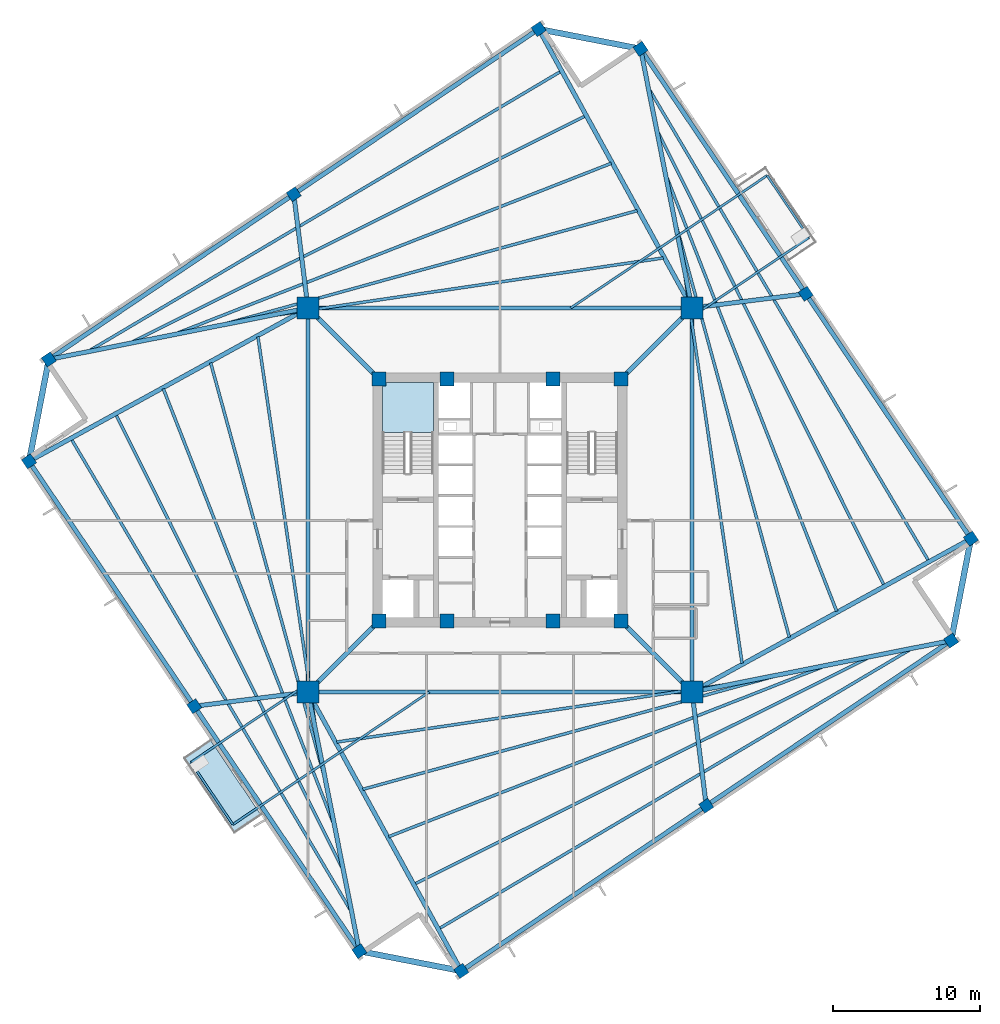
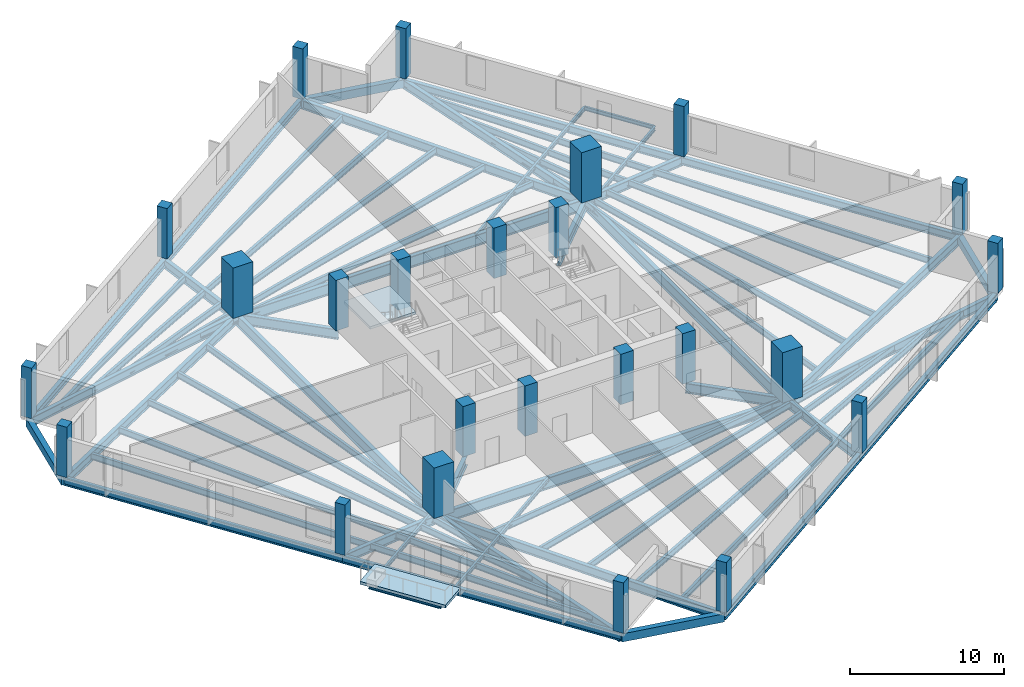
# One storey, part 1 of 9: 58 beams, 24 columns, 2 slabs, 1 element without a shape of its own.
"""IFC4 building model written with IfcOpenShell, lengths in metres."""

from ifc_helpers import new_model, si_unit, direction, frame, origin, origin_2d, place, context, subcontext, project, spatial, polyline, rectangle, i_section, outline, extrude, source, transform, mapped, material, layer, layer_set, material_profile, profile_set, type_object, element, aggregate, save


model = new_model("IFC4")

# Units and contexts
model_context = context("Model", 3, precision=1e-05, world=origin(), true_north=direction((0.0, 1.0)))
body_context = subcontext(model_context, "Body", "Model", "MODEL_VIEW")
ifc_project = project(units=[si_unit("LENGTHUNIT", "METRE"), si_unit("AREAUNIT", "SQUARE_METRE"), si_unit("VOLUMEUNIT", "CUBIC_METRE"), si_unit("PLANEANGLEUNIT", "RADIAN"), si_unit("MASSUNIT", "GRAM", prefix="KILO"), si_unit("THERMODYNAMICTEMPERATUREUNIT", "KELVIN")], contexts=[model_context])

# Site, building, storey
site_placement = place(None, origin())
site = spatial("IfcSite", under=ifc_project, at=site_placement, CompositionType="ELEMENT")
building_placement = place(site_placement, origin())
building = spatial("IfcBuilding", under=site, at=building_placement, Name="Kosmvard Interchange Tower", CompositionType="ELEMENT")
storey_placement = place(building_placement, frame((0.0, 0.0, 144.39990234375)))
storey = spatial("IfcBuildingStorey", under=building, at=storey_placement, Name="L34", CompositionType="ELEMENT", Elevation=144.39990234375)

# Columns
ifc_material_1 = material(Name="Concrete C60/75", Category="concrete")
ifc_material_profile_1 = material_profile(ifc_material_1, rectangle(XDim=0.949951171875, YDim=0.949951171875, at=origin_2d()), Name="CP 950x950")
ifc_profile_set_1 = profile_set([ifc_material_profile_1], Name="Concrete C60/75")
column_type_1 = type_object("IfcColumnType", Name="Core Boundary Pilaster 950x950 C60/75", PredefinedType="PILASTER", material=ifc_profile_set_1)
shared_shape_1 = source(origin(), body_context, "Body", "SweptSolid", [
    extrude(rectangle(XDim=0.949951171875, YDim=0.949951171875, at=origin_2d()), origin(), (0.0, 0.0, 1.0), 4.0),
])
for number, where, z_axis, x_axis, name in (
    (1, (-8.25, -8.25, 0.0), (0.0, 0.0, 1.0), (1.0, 0.0, 0.0), "L34 Core Pilaster CP1"),
    (2, (8.25, -8.25, 0.0), (0.0, 0.0, 1.0), (1.0, 0.0, 0.0), "L34 Core Pilaster CP2"),
    (3, (8.25, 8.25, 0.0), (0.0, 0.0, 1.0), (1.0, 0.0, 0.0), "L34 Core Pilaster CP3"),
    (4, (-8.25, 8.25, 0.0), (0.0, 0.0, 1.0), (1.0, 0.0, 0.0), "L34 Core Pilaster CP4"),
    (5, (-3.60009765625, -8.25, 0.0), (0.0, 0.0, 1.0), (1.0, 0.0, 0.0), "L34 Core Pilaster CP5"),
    (6, (3.60009765625, -8.25, 0.0), (0.0, 0.0, 1.0), (1.0, 0.0, 0.0), "L34 Core Pilaster CP6"),
    (7, (-3.60009765625, 8.25, 0.0), (0.0, 0.0, 1.0), (1.0, 0.0, 0.0), "L34 Core Pilaster CP7"),
    (8, (3.60009765625, 8.25, 0.0), (0.0, 0.0, 1.0), (1.0, 0.0, 0.0), "L34 Core Pilaster CP8"),
):
    element("IfcColumn", number, at=place(storey_placement, frame(where, z_axis=z_axis, x_axis=x_axis)), inside=storey, type_object=column_type_1, Name=name, PredefinedType="PILASTER", context=body_context, shape_type="MappedRepresentation", body=[
        mapped(shared_shape_1, transform((0.0, 0.0, 0.0), scale=1.0)),
    ])
ifc_material_profile_2 = material_profile(ifc_material_1, rectangle(XDim=1.5, YDim=1.5, at=origin_2d()), Name="MC 1500x1500")
ifc_profile_set_2 = profile_set([ifc_material_profile_2], Name="Concrete C60/75")
column_type_2 = type_object("IfcColumnType", Name="Composite Mega-Column 1500x1500 C60/75", PredefinedType="COLUMN", material=ifc_profile_set_2)
shared_shape_2 = source(origin(), body_context, "Body", "SweptSolid", [
    extrude(rectangle(XDim=1.5, YDim=1.5, at=origin_2d()), origin(), (0.0, 0.0, 1.0), 4.0),
])
for number, where, z_axis, x_axis, name in (
    (9, (-13.0810546875, -13.0810546875, 0.0), (0.0, 0.0, 1.0), (1.0, 0.0, 0.0), "L34 Corner Mega-Column MC1"),
    (10, (13.0810546875, -13.0810546875, 0.0), (0.0, 0.0, 1.0), (1.0, 0.0, 0.0), "L34 Corner Mega-Column MC2"),
    (11, (13.0810546875, 13.0810546875, 0.0), (0.0, 0.0, 1.0), (1.0, 0.0, 0.0), "L34 Corner Mega-Column MC3"),
    (12, (-13.0810546875, 13.0810546875, 0.0), (0.0, 0.0, 1.0), (1.0, 0.0, 0.0), "L34 Corner Mega-Column MC4"),
):
    element("IfcColumn", number, at=place(storey_placement, frame(where, z_axis=z_axis, x_axis=x_axis)), inside=storey, type_object=column_type_2, Name=name, PredefinedType="COLUMN", context=body_context, shape_type="MappedRepresentation", body=[
        mapped(shared_shape_2, transform((0.0, 0.0, 0.0), scale=1.0)),
    ])
ifc_material_2 = material(Name="Concrete C50/60", Category="concrete")
ifc_material_profile_3 = material_profile(ifc_material_2, rectangle(XDim=0.75, YDim=0.75, at=origin_2d()), Name="TC 750x750")
ifc_profile_set_3 = profile_set([ifc_material_profile_3], Name="Concrete C50/60")
column_type_3 = type_object("IfcColumnType", Name="Zone 3 Perimeter Pier Column 750x750 C50/60", PredefinedType="COLUMN", material=ifc_profile_set_3)
shared_shape_3 = source(origin(), body_context, "Body", "SweptSolid", [
    extrude(rectangle(XDim=0.75, YDim=0.75, at=origin_2d()), origin(), (0.0, 0.0, 1.0), 4.0),
])
for number, where, z_axis, x_axis, name in (
    (13, (-2.634765625, -32.083251953125, 0.0), (0.0, 0.0, 1.0), (0.829037572555, 0.559192903471, 0.0), "L34 Perimeter Pier Column TC-S1"),
    (14, (14.0498046875, -20.82958984375, 0.0), (0.0, 0.0, 1.0), (0.829037572555, 0.559192903471, 0.0), "L34 Perimeter Pier Column TC-S2"),
    (15, (30.734130859375, -9.575927734375, 0.0), (0.0, 0.0, 1.0), (0.829037572555, 0.559192903471, 0.0), "L34 Perimeter Pier Column TC-S3"),
    (16, (32.083251953125, -2.634765625, 0.0), (0.0, 0.0, 1.0), (0.829037572555, 0.559192903471, 0.0), "L34 Perimeter Pier Column TC-E1"),
    (17, (20.82958984375, 14.0498046875, 0.0), (0.0, 0.0, 1.0), (0.829037572555, 0.559192903471, 0.0), "L34 Perimeter Pier Column TC-E2"),
    (18, (9.575927734375, 30.734130859375, 0.0), (0.0, 0.0, 1.0), (0.829037572555, 0.559192903471, 0.0), "L34 Perimeter Pier Column TC-E3"),
    (19, (2.634765625, 32.083251953125, 0.0), (0.0, 0.0, 1.0), (0.829037572555, 0.559192903471, 0.0), "L34 Perimeter Pier Column TC-N1"),
    (20, (-14.0498046875, 20.82958984375, 0.0), (0.0, 0.0, 1.0), (0.829037572555, 0.559192903471, 0.0), "L34 Perimeter Pier Column TC-N2"),
    (21, (-30.734130859375, 9.575927734375, 0.0), (0.0, 0.0, 1.0), (0.829037572555, 0.559192903471, 0.0), "L34 Perimeter Pier Column TC-N3"),
    (22, (-32.083251953125, 2.634765625, 0.0), (0.0, 0.0, 1.0), (0.829037572555, 0.559192903471, 0.0), "L34 Perimeter Pier Column TC-W1"),
    (23, (-20.82958984375, -14.0498046875, 0.0), (0.0, 0.0, 1.0), (0.829037572555, 0.559192903471, 0.0), "L34 Perimeter Pier Column TC-W2"),
    (24, (-9.575927734375, -30.734130859375, 0.0), (0.0, 0.0, 1.0), (0.829037572555, 0.559192903471, 0.0), "L34 Perimeter Pier Column TC-W3"),
):
    element("IfcColumn", number, at=place(storey_placement, frame(where, z_axis=z_axis, x_axis=x_axis)), inside=storey, type_object=column_type_3, Name=name, PredefinedType="COLUMN", context=body_context, shape_type="MappedRepresentation", body=[
        mapped(shared_shape_3, transform((0.0, 0.0, 0.0), scale=1.0)),
    ])

# Beams
ifc_material_3 = material(Name="Steel S355", Category="steel")
ifc_material_profile_4 = material_profile(ifc_material_3, i_section(OverallWidth=0.14990234375, OverallDepth=0.300048828125, WebThickness=0.007080078125, FlangeThickness=0.0107421875, FilletRadius=0.014892578125, at=origin_2d()), Name="IPE 300")
ifc_profile_set_4 = profile_set([ifc_material_profile_4], Name="Steel S355")
beam_type_1 = type_object("IfcBeamType", Name="Balcony Edge Header Joist IPE 300 S355", PredefinedType="JOIST", material=ifc_profile_set_4)
shared_shape_4 = source(origin(), body_context, "Body", "SweptSolid", [
    extrude(i_section(OverallWidth=0.14990234375, OverallDepth=0.300048828125, WebThickness=0.007080078125, FlangeThickness=0.0107421875, FilletRadius=0.014892578125, at=origin_2d()), origin(), (0.0, 0.0, 1.0), 5.099853515625),
])
for number, where, z_axis, x_axis, name in (
    (25, (21.051513671875, 17.87841796875, -0.409912109375), (-0.559188346666, 0.82904064614, 0.0), (-0.82904064614, -0.559188346666, 0.0), "BM-L34-BJH1"),
    (26, (-21.051513671875, -17.87841796875, -0.409912109375), (0.559188346666, -0.82904064614, 0.0), (0.82904064614, 0.559188346666, 0.0), "BM-L34-BJH2"),
):
    element("IfcBeam", number, at=place(storey_placement, frame(where, z_axis=z_axis, x_axis=x_axis)), inside=storey, type_object=beam_type_1, Name=name, PredefinedType="JOIST", context=body_context, shape_type="MappedRepresentation", body=[
        mapped(shared_shape_4, transform((0.0, 0.0, 0.0), scale=1.0)),
    ])
ifc_material_profile_5 = material_profile(ifc_material_3, i_section(OverallWidth=0.300048828125, OverallDepth=0.800048828125, WebThickness=0.017578125, FlangeThickness=0.032958984375, FilletRadius=0.027099609375, at=origin_2d()), Name="HEB 800")
ifc_profile_set_5 = profile_set([ifc_material_profile_5], Name="Steel S355")
beam_type_2 = type_object("IfcBeamType", Name="Primary Mega-Frame Girder HEB 800 S355", PredefinedType="BEAM", material=ifc_profile_set_5)
shared_shape_5 = source(origin(), body_context, "Body", "SweptSolid", [
    extrude(i_section(OverallWidth=0.300048828125, OverallDepth=0.800048828125, WebThickness=0.017578125, FlangeThickness=0.032958984375, FilletRadius=0.027099609375, at=origin_2d()), origin(), (0.0, 0.0, 1.0), 6.83203125),
])
for number, where, z_axis, x_axis, name in (
    (27, (-8.25, -8.25, -0.659912109375), (-0.707106781187, -0.707106781187, 0.0), (0.707106781187, -0.707106781187, 0.0), "L34 Radial Mega-Frame Girder 1"),
    (28, (8.25, -8.25, -0.659912109375), (0.707106781187, -0.707106781187, 0.0), (0.707106781187, 0.707106781187, 0.0), "L34 Radial Mega-Frame Girder 2"),
    (29, (8.25, 8.25, -0.659912109375), (0.707106781187, 0.707106781187, 0.0), (-0.707106781187, 0.707106781187, 0.0), "L34 Radial Mega-Frame Girder 3"),
    (30, (-8.25, 8.25, -0.659912109375), (-0.707106781187, 0.707106781187, 0.0), (-0.707106781187, -0.707106781187, 0.0), "L34 Radial Mega-Frame Girder 4"),
):
    element("IfcBeam", number, at=place(storey_placement, frame(where, z_axis=z_axis, x_axis=x_axis)), inside=storey, type_object=beam_type_2, Name=name, PredefinedType="BEAM", context=body_context, shape_type="MappedRepresentation", body=[
        mapped(shared_shape_5, transform((0.0, 0.0, 0.0), scale=1.0)),
    ])
ifc_material_profile_6 = material_profile(ifc_material_3, i_section(OverallWidth=0.300048828125, OverallDepth=0.89990234375, WebThickness=0.0185546875, FlangeThickness=0.034912109375, FilletRadius=0.030029296875, at=origin_2d()), Name="HEB 900")
ifc_profile_set_6 = profile_set([ifc_material_profile_6], Name="Steel S355")
beam_type_3 = type_object("IfcBeamType", Name="Mega-Column Ring Girder HEB 900 S355", PredefinedType="BEAM", material=ifc_profile_set_6)
shared_shape_6 = source(origin(), body_context, "Body", "SweptSolid", [
    extrude(i_section(OverallWidth=0.300048828125, OverallDepth=0.89990234375, WebThickness=0.0185546875, FlangeThickness=0.034912109375, FilletRadius=0.030029296875, at=origin_2d()), origin(), (0.0, 0.0, 1.0), 26.162109375),
])
for number, where, z_axis, x_axis, name in (
    (31, (-13.0810546875, -13.0810546875, -0.7099609375), (1.0, 0.0, 0.0), (0.0, 1.0, 0.0), "L34 Mega-Column Ring Girder 1"),
    (32, (13.0810546875, -13.0810546875, -0.7099609375), (0.0, 1.0, 0.0), (-1.0, 0.0, 0.0), "L34 Mega-Column Ring Girder 2"),
    (33, (13.0810546875, 13.0810546875, -0.7099609375), (-1.0, 0.0, 0.0), (0.0, -1.0, 0.0), "L34 Mega-Column Ring Girder 3"),
    (34, (-13.0810546875, 13.0810546875, -0.7099609375), (0.0, -1.0, 0.0), (1.0, 0.0, 0.0), "L34 Mega-Column Ring Girder 4"),
):
    element("IfcBeam", number, at=place(storey_placement, frame(where, z_axis=z_axis, x_axis=x_axis)), inside=storey, type_object=beam_type_3, Name=name, PredefinedType="BEAM", context=body_context, shape_type="MappedRepresentation", body=[
        mapped(shared_shape_6, transform((0.0, 0.0, 0.0), scale=1.0)),
    ])
ifc_material_profile_7 = material_profile(ifc_material_3, i_section(OverallWidth=0.300048828125, OverallDepth=0.60009765625, WebThickness=0.015380859375, FlangeThickness=0.030029296875, FilletRadius=0.027099609375, at=origin_2d()), Name="HEB 600")
ifc_profile_set_7 = profile_set([ifc_material_profile_7], Name="Steel S355")
beam_type_4 = type_object("IfcBeamType", Name="Perimeter Tie Girder HEB 600 S355", PredefinedType="BEAM", material=ifc_profile_set_7)
shared_shape_7 = source(origin(), body_context, "Body", "SweptSolid", [
    extrude(i_section(OverallWidth=0.300048828125, OverallDepth=0.60009765625, WebThickness=0.015380859375, FlangeThickness=0.030029296875, FilletRadius=0.027099609375, at=origin_2d()), origin(), (0.0, 0.0, 1.0), 20.125),
])
for number, where, z_axis, x_axis, name in (
    (35, (-2.634765625, -32.083251953125, -0.559814453125), (0.82904270175, 0.559185299051, 0.0), (-0.559185299051, 0.82904270175, 0.0), "BM-L34-PR01"),
    (36, (14.0498046875, -20.82958984375, -0.559814453125), (0.829038908426, 0.559190922956, 0.0), (-0.559190922956, 0.829038908426, 0.0), "BM-L34-PR02"),
    (37, (32.083251953125, -2.634765625, -0.559814453125), (-0.559185299051, 0.82904270175, 0.0), (-0.82904270175, -0.559185299051, 0.0), "BM-L34-PR04"),
    (38, (20.82958984375, 14.0498046875, -0.559814453125), (-0.559190922956, 0.829038908426, 0.0), (-0.829038908426, -0.559190922956, 0.0), "BM-L34-PR05"),
    (39, (2.634765625, 32.083251953125, -0.559814453125), (-0.82904270175, -0.559185299051, 0.0), (0.559185299051, -0.82904270175, 0.0), "BM-L34-PR07"),
    (40, (-14.0498046875, 20.82958984375, -0.559814453125), (-0.829038908426, -0.559190922956, 0.0), (0.559190922956, -0.829038908426, 0.0), "BM-L34-PR08"),
    (41, (-32.083251953125, 2.634765625, -0.559814453125), (0.559185299051, -0.82904270175, 0.0), (0.82904270175, 0.559185299051, 0.0), "BM-L34-PR10"),
    (42, (-20.82958984375, -14.0498046875, -0.559814453125), (0.559190922956, -0.829038908426, 0.0), (0.829038908426, 0.559190922956, 0.0), "BM-L34-PR11"),
):
    element("IfcBeam", number, at=place(storey_placement, frame(where, z_axis=z_axis, x_axis=x_axis)), inside=storey, type_object=beam_type_4, Name=name, PredefinedType="BEAM", context=body_context, shape_type="MappedRepresentation", body=[
        mapped(shared_shape_7, transform((0.0, 0.0, 0.0), scale=1.0)),
    ])
ifc_material_profile_8 = material_profile(ifc_material_3, i_section(OverallWidth=0.300048828125, OverallDepth=0.699951171875, WebThickness=0.01708984375, FlangeThickness=0.031982421875, FilletRadius=0.027099609375, at=origin_2d()), Name="HEB 700")
ifc_profile_set_8 = profile_set([ifc_material_profile_8], Name="Steel S355")
beam_type_5 = type_object("IfcBeamType", Name="Primary Floor Girder HEB 700 S355", PredefinedType="BEAM", material=ifc_profile_set_8)
shared_shape_8 = source(origin(), body_context, "Body", "SweptSolid", [
    extrude(i_section(OverallWidth=0.300048828125, OverallDepth=0.699951171875, WebThickness=0.01708984375, FlangeThickness=0.031982421875, FilletRadius=0.027099609375, at=origin_2d()), origin(), (0.0, 0.0, 1.0), 21.684326171875),
])
for number, where, z_axis, x_axis, name in (
    (43, (-13.0810546875, -13.0810546875, -0.60986328125), (0.48174456271, -0.876311689012, 0.0), (0.876311689012, 0.48174456271, 0.0), "BM-L34-RD01"),
    (44, (13.0810546875, -13.0810546875, -0.60986328125), (0.876311689012, 0.48174456271, 0.0), (-0.48174456271, 0.876311689012, 0.0), "BM-L34-RD04"),
    (45, (13.0810546875, 13.0810546875, -0.60986328125), (-0.48174456271, 0.876311689012, 0.0), (-0.876311689012, -0.48174456271, 0.0), "BM-L34-RD07"),
    (46, (-13.0810546875, 13.0810546875, -0.60986328125), (-0.876311689012, -0.48174456271, 0.0), (0.48174456271, -0.876311689012, 0.0), "BM-L34-RD10"),
):
    element("IfcBeam", number, at=place(storey_placement, frame(where, z_axis=z_axis, x_axis=x_axis)), inside=storey, type_object=beam_type_5, Name=name, PredefinedType="BEAM", context=body_context, shape_type="MappedRepresentation", body=[
        mapped(shared_shape_8, transform((0.0, 0.0, 0.0), scale=1.0)),
    ])
shared_shape_9 = source(origin(), body_context, "Body", "SweptSolid", [
    extrude(i_section(OverallWidth=0.300048828125, OverallDepth=0.699951171875, WebThickness=0.01708984375, FlangeThickness=0.031982421875, FilletRadius=0.027099609375, at=origin_2d()), origin(), (0.0, 0.0, 1.0), 7.808837890625),
])
for number, where, z_axis, x_axis, name in (
    (47, (13.0810546875, -13.0810546875, -0.60986328125), (0.12405782224, -0.992274990485, 0.0), (0.992274990485, 0.12405782224, 0.0), "BM-L34-RD02"),
    (48, (13.0810546875, 13.0810546875, -0.60986328125), (0.992274990485, 0.12405782224, 0.0), (-0.12405782224, 0.992274990485, 0.0), "BM-L34-RD05"),
    (49, (-13.0810546875, 13.0810546875, -0.60986328125), (-0.12405782224, 0.992274990485, 0.0), (-0.992274990485, -0.12405782224, 0.0), "BM-L34-RD08"),
    (50, (-13.0810546875, -13.0810546875, -0.60986328125), (-0.992274990485, -0.12405782224, 0.0), (0.12405782224, -0.992274990485, 0.0), "BM-L34-RD11"),
):
    element("IfcBeam", number, at=place(storey_placement, frame(where, z_axis=z_axis, x_axis=x_axis)), inside=storey, type_object=beam_type_5, Name=name, PredefinedType="BEAM", context=body_context, shape_type="MappedRepresentation", body=[
        mapped(shared_shape_9, transform((0.0, 0.0, 0.0), scale=1.0)),
    ])
ifc_material_4 = material(Name="Precast concrete C45/55", Category="concrete")
ifc_material_profile_9 = material_profile(ifc_material_4, rectangle(XDim=0.39990234375, YDim=0.64990234375, at=origin_2d()), Name="SL 400x650")
ifc_profile_set_9 = profile_set([ifc_material_profile_9], Name="Precast concrete C45/55")
beam_type_6 = type_object("IfcBeamType", Name="Precast Spandrel Lintel 400x650 C45/55", PredefinedType="LINTEL", material=ifc_profile_set_9)
shared_shape_10 = source(origin(), body_context, "Body", "SweptSolid", [
    extrude(rectangle(XDim=0.39990234375, YDim=0.64990234375, at=origin_2d()), origin(), (0.0, 0.0, 1.0), 7.071044921875),
])
for number, where, z_axis, x_axis, name in (
    (51, (30.734130859375, -9.575927734375, -0.5849609375), (0.190794803533, 0.981629941956, 0.0), (-0.981629941956, 0.190794803533, 0.0), "BM-L34-SL1"),
    (52, (9.575927734375, 30.734130859375, -0.5849609375), (-0.981629941956, 0.190794803533, 0.0), (-0.190794803533, -0.981629941956, 0.0), "BM-L34-SL2"),
    (53, (-30.734130859375, 9.575927734375, -0.5849609375), (-0.190794803533, -0.981629941956, 0.0), (0.981629941956, -0.190794803533, 0.0), "BM-L34-SL3"),
    (54, (-9.575927734375, -30.734130859375, -0.5849609375), (0.981629941956, -0.190794803533, 0.0), (0.190794803533, 0.981629941956, 0.0), "BM-L34-SL4"),
):
    element("IfcBeam", number, at=place(storey_placement, frame(where, z_axis=z_axis, x_axis=x_axis)), inside=storey, type_object=beam_type_6, Name=name, PredefinedType="LINTEL", context=body_context, shape_type="MappedRepresentation", body=[
        mapped(shared_shape_10, transform((0.0, 0.0, 0.0), scale=1.0)),
    ])
shared_shape_11 = source(origin(), body_context, "Body", "SweptSolid", [
    extrude(i_section(OverallWidth=0.300048828125, OverallDepth=0.699951171875, WebThickness=0.01708984375, FlangeThickness=0.031982421875, FilletRadius=0.027099609375, at=origin_2d()), origin(), (0.0, 0.0, 1.0), 17.997802734375),
])
for number, where, z_axis, x_axis, name in (
    (55, (13.0810546875, -13.0810546875, -0.60986328125), (0.980852075755, 0.194754218148, 0.0), (-0.194754218148, 0.980852075755, 0.0), "BM-L34-RD03"),
    (56, (13.0810546875, 13.0810546875, -0.60986328125), (-0.194754218148, 0.980852075755, 0.0), (-0.980852075755, -0.194754218148, 0.0), "BM-L34-RD06"),
    (57, (-13.0810546875, 13.0810546875, -0.60986328125), (-0.980852075755, -0.194754218148, 0.0), (0.194754218148, -0.980852075755, 0.0), "BM-L34-RD09"),
    (58, (-13.0810546875, -13.0810546875, -0.60986328125), (0.194754218148, -0.980852075755, 0.0), (0.980852075755, 0.194754218148, 0.0), "BM-L34-RD12"),
):
    element("IfcBeam", number, at=place(storey_placement, frame(where, z_axis=z_axis, x_axis=x_axis)), inside=storey, type_object=beam_type_5, Name=name, PredefinedType="BEAM", context=body_context, shape_type="MappedRepresentation", body=[
        mapped(shared_shape_11, transform((0.0, 0.0, 0.0), scale=1.0)),
    ])
ifc_material_profile_10 = material_profile(ifc_material_3, i_section(OverallWidth=0.199951171875, OverallDepth=0.5, WebThickness=0.01025390625, FlangeThickness=0.01611328125, FilletRadius=0.02099609375, at=origin_2d()), Name="IPE 500")
ifc_profile_set_10 = profile_set([ifc_material_profile_10], Name="Steel S355")
beam_type_7 = type_object("IfcBeamType", Name="Standard Floor Joist IPE 500 S355", PredefinedType="JOIST", material=ifc_profile_set_10)
shared_shape_12 = source(origin(), body_context, "Body", "SweptSolid", [
    extrude(i_section(OverallWidth=0.199951171875, OverallDepth=0.5, WebThickness=0.01025390625, FlangeThickness=0.01611328125, FilletRadius=0.02099609375, at=origin_2d()), origin(), (0.0, 0.0, 1.0), 27.5966796875),
])
for number, where, z_axis, x_axis, name in (
    (59, (-11.12158203125, -16.48974609375, -0.510009765625), (0.989290070387, 0.145962860463, 0.0), (-0.145962860463, 0.989290070387, 0.0), "BM-L34-FJ01"),
    (60, (16.48974609375, -11.12158203125, -0.510009765625), (-0.145962860463, 0.989290070387, 0.0), (-0.989290070387, -0.145962860463, 0.0), "BM-L34-FJ06"),
    (61, (11.12158203125, 16.48974609375, -0.510009765625), (-0.989290070387, -0.145962860463, 0.0), (0.145962860463, -0.989290070387, 0.0), "BM-L34-FJ11"),
    (62, (-16.48974609375, 11.12158203125, -0.510009765625), (0.145962860463, -0.989290070387, 0.0), (0.989290070387, 0.145962860463, 0.0), "BM-L34-FJ16"),
):
    element("IfcBeam", number, at=place(storey_placement, frame(where, z_axis=z_axis, x_axis=x_axis)), inside=storey, type_object=beam_type_7, Name=name, PredefinedType="JOIST", context=body_context, shape_type="MappedRepresentation", body=[
        mapped(shared_shape_12, transform((0.0, 0.0, 0.0), scale=1.0)),
    ])
shared_shape_13 = source(origin(), body_context, "Body", "SweptSolid", [
    extrude(i_section(OverallWidth=0.199951171875, OverallDepth=0.5, WebThickness=0.01025390625, FlangeThickness=0.01611328125, FilletRadius=0.02099609375, at=origin_2d()), origin(), (0.0, 0.0, 1.0), 29.58642578125),
])
for number, where, z_axis, x_axis, name in (
    (63, (-9.34765625, -19.710693359375, -0.510009765625), (0.964296527467, 0.264824861209, 0.0), (-0.264824861209, 0.964296527467, 0.0), "BM-L34-FJ02"),
    (64, (19.710693359375, -9.34765625, -0.510009765625), (-0.264824861209, 0.964296527467, 0.0), (-0.964296527467, -0.264824861209, 0.0), "BM-L34-FJ07"),
    (65, (9.34765625, 19.710693359375, -0.510009765625), (-0.964296527467, -0.264824861209, 0.0), (0.264824861209, -0.964296527467, 0.0), "BM-L34-FJ12"),
    (66, (-19.710693359375, 9.34765625, -0.510009765625), (0.264824861209, -0.964296527467, 0.0), (0.964296527467, 0.264824861209, 0.0), "BM-L34-FJ17"),
):
    element("IfcBeam", number, at=place(storey_placement, frame(where, z_axis=z_axis, x_axis=x_axis)), inside=storey, type_object=beam_type_7, Name=name, PredefinedType="JOIST", context=body_context, shape_type="MappedRepresentation", body=[
        mapped(shared_shape_13, transform((0.0, 0.0, 0.0), scale=1.0)),
    ])
shared_shape_14 = source(origin(), body_context, "Body", "SweptSolid", [
    extrude(i_section(OverallWidth=0.199951171875, OverallDepth=0.5, WebThickness=0.01025390625, FlangeThickness=0.01611328125, FilletRadius=0.02099609375, at=origin_2d()), origin(), (0.0, 0.0, 1.0), 31.9580078125),
])
for number, where, z_axis, x_axis, name in (
    (67, (-7.574462890625, -22.93310546875, -0.510009765625), (0.931239172846, 0.364408565976, 0.0), (-0.364408565976, 0.931239172846, 0.0), "BM-L34-FJ03"),
    (68, (22.93310546875, -7.574462890625, -0.510009765625), (-0.364408565976, 0.931239172846, 0.0), (-0.931239172846, -0.364408565976, 0.0), "BM-L34-FJ08"),
    (69, (7.574462890625, 22.93310546875, -0.510009765625), (-0.931239172846, -0.364408565976, 0.0), (0.364408565976, -0.931239172846, 0.0), "BM-L34-FJ13"),
    (70, (-22.93310546875, 7.574462890625, -0.510009765625), (0.364408565976, -0.931239172846, 0.0), (0.931239172846, 0.364408565976, 0.0), "BM-L34-FJ18"),
):
    element("IfcBeam", number, at=place(storey_placement, frame(where, z_axis=z_axis, x_axis=x_axis)), inside=storey, type_object=beam_type_7, Name=name, PredefinedType="JOIST", context=body_context, shape_type="MappedRepresentation", body=[
        mapped(shared_shape_14, transform((0.0, 0.0, 0.0), scale=1.0)),
    ])
shared_shape_15 = source(origin(), body_context, "Body", "SweptSolid", [
    extrude(i_section(OverallWidth=0.199951171875, OverallDepth=0.5, WebThickness=0.01025390625, FlangeThickness=0.01611328125, FilletRadius=0.02099609375, at=origin_2d()), origin(), (0.0, 0.0, 1.0), 34.633056640625),
])
for number, where, z_axis, x_axis, name in (
    (71, (-5.801513671875, -26.156982421875, -0.510009765625), (0.894853974707, 0.446359007921, 0.0), (-0.446359007921, 0.894853974707, 0.0), "BM-L34-FJ04"),
    (72, (26.156982421875, -5.801513671875, -0.510009765625), (-0.446359007921, 0.894853974707, 0.0), (-0.894853974707, -0.446359007921, 0.0), "BM-L34-FJ09"),
    (73, (5.801513671875, 26.156982421875, -0.510009765625), (-0.894853974707, -0.446359007921, 0.0), (0.446359007921, -0.894853974707, 0.0), "BM-L34-FJ14"),
    (74, (-26.156982421875, 5.801513671875, -0.510009765625), (0.446359007921, -0.894853974707, 0.0), (0.894853974707, 0.446359007921, 0.0), "BM-L34-FJ19"),
):
    element("IfcBeam", number, at=place(storey_placement, frame(where, z_axis=z_axis, x_axis=x_axis)), inside=storey, type_object=beam_type_7, Name=name, PredefinedType="JOIST", context=body_context, shape_type="MappedRepresentation", body=[
        mapped(shared_shape_15, transform((0.0, 0.0, 0.0), scale=1.0)),
    ])
shared_shape_16 = source(origin(), body_context, "Body", "SweptSolid", [
    extrude(i_section(OverallWidth=0.199951171875, OverallDepth=0.5, WebThickness=0.01025390625, FlangeThickness=0.01611328125, FilletRadius=0.02099609375, at=origin_2d()), origin(), (0.0, 0.0, 1.0), 37.3701171875),
])
for number, where, z_axis, x_axis, name in (
    (75, (-4.1328125, -29.192138671875, -0.510009765625), (0.860316577026, 0.509760127212, 0.0), (-0.509760127212, 0.860316577026, 0.0), "BM-L34-FJ05"),
    (76, (29.192138671875, -4.1328125, -0.510009765625), (-0.509760127212, 0.860316577026, 0.0), (-0.860316577026, -0.509760127212, 0.0), "BM-L34-FJ10"),
    (77, (4.1328125, 29.192138671875, -0.510009765625), (-0.860316577026, -0.509760127212, 0.0), (0.509760127212, -0.860316577026, 0.0), "BM-L34-FJ15"),
    (78, (-29.192138671875, 4.1328125, -0.510009765625), (0.509760127212, -0.860316577026, 0.0), (0.860316577026, 0.509760127212, 0.0), "BM-L34-FJ20"),
):
    element("IfcBeam", number, at=place(storey_placement, frame(where, z_axis=z_axis, x_axis=x_axis)), inside=storey, type_object=beam_type_7, Name=name, PredefinedType="JOIST", context=body_context, shape_type="MappedRepresentation", body=[
        mapped(shared_shape_16, transform((0.0, 0.0, 0.0), scale=1.0)),
    ])
ifc_material_profile_11 = material_profile(ifc_material_3, i_section(OverallWidth=0.159912109375, OverallDepth=0.330078125, WebThickness=0.007568359375, FlangeThickness=0.011474609375, FilletRadius=0.01806640625, at=origin_2d()), Name="IPE 330")
ifc_profile_set_11 = profile_set([ifc_material_profile_11], Name="Steel S355")
beam_type_8 = type_object("IfcBeamType", Name="Balcony Cantilever Joist IPE 330 S355", PredefinedType="JOIST", material=ifc_profile_set_11)
shared_shape_17 = source(origin(), body_context, "Body", "SweptSolid", [
    extrude(i_section(OverallWidth=0.159912109375, OverallDepth=0.330078125, WebThickness=0.007568359375, FlangeThickness=0.011474609375, FilletRadius=0.01806640625, at=origin_2d()), origin(), (0.0, 0.0, 1.0), 9.6142578125),
])
for number, where, z_axis, x_axis, name in (
    (79, (13.0810546875, 12.502197265625, -0.4248046875), (0.829033800065, 0.559198496377, 0.0), (-0.559198496377, 0.829033800065, 0.0), "BM-L34-BJ1"),
    (80, (-13.0810546875, -12.502197265625, -0.4248046875), (-0.829033800065, -0.559198496377, 0.0), (0.559198496377, -0.829033800065, 0.0), "BM-L34-BJ2"),
):
    element("IfcBeam", number, at=place(storey_placement, frame(where, z_axis=z_axis, x_axis=x_axis)), inside=storey, type_object=beam_type_8, Name=name, PredefinedType="JOIST", context=body_context, shape_type="MappedRepresentation", body=[
        mapped(shared_shape_17, transform((0.0, 0.0, 0.0), scale=1.0)),
    ])
shared_shape_18 = source(origin(), body_context, "Body", "SweptSolid", [
    extrude(i_section(OverallWidth=0.159912109375, OverallDepth=0.330078125, WebThickness=0.007568359375, FlangeThickness=0.011474609375, FilletRadius=0.01806640625, at=origin_2d()), origin(), (0.0, 0.0, 1.0), 16.14013671875),
])
for number, where, z_axis, x_axis, name in (
    (81, (4.81884765625, 13.0810546875, -0.4248046875), (0.829040817826, 0.559188092129, 0.0), (-0.559188092129, 0.829040817826, 0.0), "BM-L34-BJB1"),
    (82, (-4.81884765625, -13.0810546875, -0.4248046875), (-0.829040817826, -0.559188092129, 0.0), (0.559188092129, -0.829040817826, 0.0), "BM-L34-BJB2"),
):
    element("IfcBeam", number, at=place(storey_placement, frame(where, z_axis=z_axis, x_axis=x_axis)), inside=storey, type_object=beam_type_8, Name=name, PredefinedType="JOIST", context=body_context, shape_type="MappedRepresentation", body=[
        mapped(shared_shape_18, transform((0.0, 0.0, 0.0), scale=1.0)),
    ])

# Stair, slab
stair_type = type_object("IfcStairType", Name="Dog-Leg Core Exit Stair H4000 C50/60", PredefinedType="HALF_TURN_STAIR", material=ifc_material_2)
stair_placement = place(storey_placement, origin())
stair = element("IfcStair", 83, at=stair_placement, inside=storey, type_object=stair_type, Name="L34 Protected Exit Stair ST-1", PredefinedType="HALF_TURN_STAIR")
ifc_layer_1 = layer(ifc_material_2, 0.199951171875, Name="Concrete C50/60")
ifc_layer_set_1 = layer_set([ifc_layer_1], Name="Concrete C50/60")
slab_type_1 = type_object("IfcSlabType", Name="Stair Half-Landing Slab 200 C50/60", PredefinedType="LANDING", material=ifc_layer_set_1)
slab_1_placement = place(storey_placement, frame((0.0, 0.0, 1.800048828125)))
slab_1 = element("IfcSlab", 84, at=slab_1_placement, type_object=slab_type_1, Name="ST-1 landing 1", PredefinedType="LANDING", context=body_context, shape_type="SweptSolid", body=[
    extrude(outline(polyline([(-4.5400390625, 4.60009765625), (-4.5400390625, 8.0), (-8.0, 8.0), (-8.0, 4.60009765625), (-4.5400390625, 4.60009765625)])), origin(), (0.0, 0.0, 1.0), 0.199951171875),
])
aggregate(stair, [slab_1])

# Slab
ifc_layer_2 = layer(ifc_material_2, 0.22998046875, Name="Concrete C50/60")
ifc_layer_set_2 = layer_set([ifc_layer_2], Name="Concrete C50/60")
slab_type_2 = type_object("IfcSlabType", Name="Tree-Planter Cantilever Balcony Slab 230 C50/60", PredefinedType="FLOOR", material=ifc_layer_set_2)
slab_2_placement = place(storey_placement, frame((0.0, 0.0, -0.22998046875)))
element("IfcSlab", 85, at=slab_2_placement, inside=storey, type_object=slab_type_2, Name="L34 Outdoor Terrace Balcony Slab BAL-L34-W", PredefinedType="FLOOR", context=body_context, shape_type="SweptSolid", body=[
    extrude(outline(polyline([(-18.099365234375, -22.702392578125), (-16.275390625, -21.47216796875), (-19.742431640625, -16.33203125), (-21.56640625, -17.562255859375), (-18.099365234375, -22.702392578125)])), origin(), (0.0, 0.0, 1.0), 0.22998046875),
])

save(model, "model.ifc")
